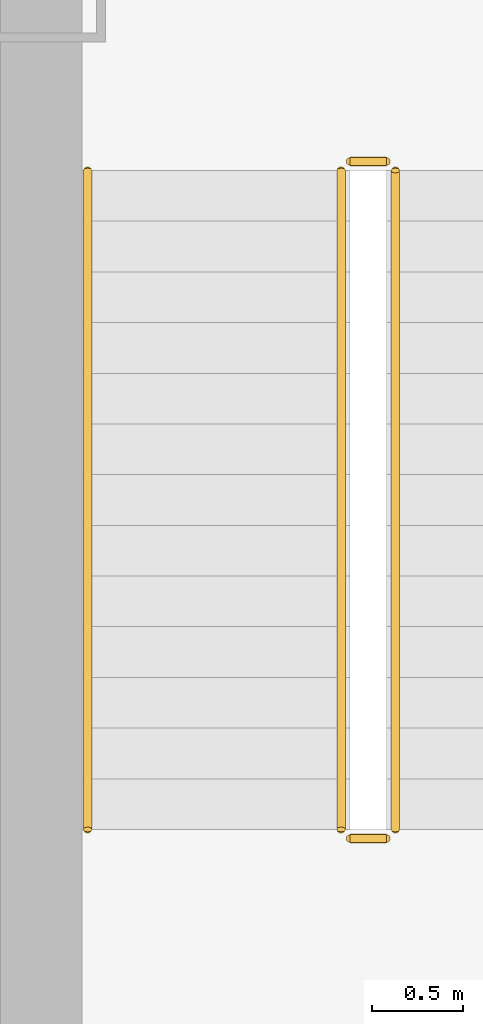
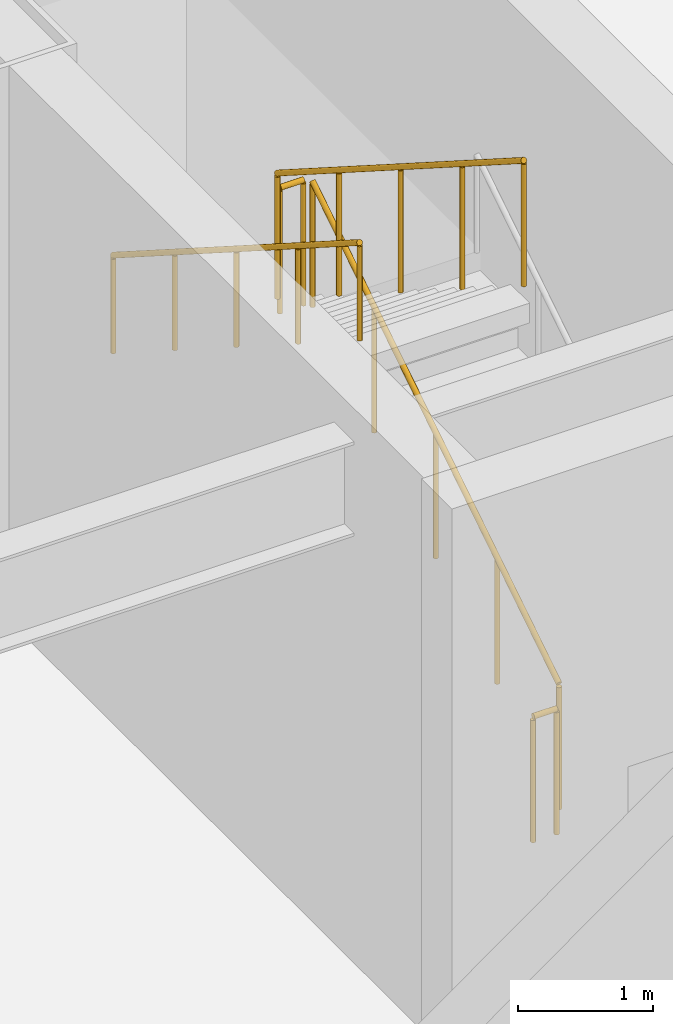
# One storey, part 11 of 14: 5 railings.
"""IFC4 building model written with IfcOpenShell, lengths in metres."""

from ifc_helpers import new_model, si_unit, derived_unit, direction, frame, origin, origin_2d, place, context, subcontext, project, spatial, circle, extrude, material, type_object, element, save


model = new_model("IFC4")

# Units and contexts
model_context = context("Model", 3, precision=1e-05, world=origin(), true_north=direction((0.0, 1.0)))
body_context = subcontext(model_context, "Body", "Model", "MODEL_VIEW")
ifc_project = project(units=[si_unit("LENGTHUNIT", "METRE"), si_unit("AREAUNIT", "SQUARE_METRE"), si_unit("VOLUMEUNIT", "CUBIC_METRE"), si_unit("PLANEANGLEUNIT", "RADIAN"), si_unit("MASSUNIT", "GRAM", prefix="KILO"), derived_unit("THERMALTRANSMITTANCEUNIT", [(si_unit("POWERUNIT", "WATT"), 1), (si_unit("LENGTHUNIT", "METRE"), -2), (si_unit("THERMODYNAMICTEMPERATUREUNIT", "KELVIN"), -1)])], contexts=[model_context])

# Site, building, storey
site_placement = place(None, origin())
site = spatial("IfcSite", under=ifc_project, at=site_placement, CompositionType="ELEMENT")
building_placement = place(site_placement, origin())
building = spatial("IfcBuilding", under=site, at=building_placement, Name="Skarnbrae Concourse Arena and Tower", CompositionType="ELEMENT")
storey_placement = place(building_placement, frame((0.0, 0.0, 21.0)))
storey = spatial("IfcBuildingStorey", under=building, at=storey_placement, Name="L04", CompositionType="ELEMENT", Elevation=21.0)

# Railings
ifc_material = material(Name="Steel CSA G40.21 350W", Category="steel")
railing_type_1 = type_object("IfcRailingType", Name="RAIL-HANDRAIL-900", PredefinedType="HANDRAIL", material=ifc_material)
railing_1_placement = place(storey_placement, frame((61.449951171875, 8.239990234375, 2.678466796875)))
element("IfcRailing", 1, at=railing_1_placement, inside=storey, type_object=railing_type_1, Name="L04 ST-A1 stair handrail 2", PredefinedType="HANDRAIL", context=body_context, shape_type="SweptSolid", body=[
    extrude(circle(Radius=0.02392578125, at=origin_2d()), frame((0.0, 0.0, 0.8759765625), z_axis=(0.0, -0.843111507901, 0.53773877045), x_axis=(1.0, 0.0, 0.0)), (0.0, 0.0, 1.0), 4.317138671875),
    extrude(circle(Radius=0.02099609375, at=origin_2d()), origin(), (0.0, 0.0, 1.0), 0.851806640625),
    extrude(circle(Radius=0.02099609375, at=origin_2d()), frame((0.0, -0.909912109375, 0.580322265625)), (0.0, 0.0, 1.0), 0.851806640625),
    extrude(circle(Radius=0.02099609375, at=origin_2d()), frame((0.0, -1.81982421875, 1.16064453125)), (0.0, 0.0, 1.0), 0.851806640625),
    extrude(circle(Radius=0.02099609375, at=origin_2d()), frame((0.0, -2.72998046875, 1.7412109375)), (0.0, 0.0, 1.0), 0.851806640625),
    extrude(circle(Radius=0.02099609375, at=origin_2d()), frame((0.0, -3.639892578125, 2.321533203125)), (0.0, 0.0, 1.0), 0.851806640625),
])
railing_type_2 = type_object("IfcRailingType", Name="RAIL-STAIR-GUARD-1150", PredefinedType="GUARDRAIL", material=ifc_material)
railing_2_placement = place(storey_placement, frame((63.14990234375, 4.60009765625, 0.178466796875)))
element("IfcRailing", 2, at=railing_2_placement, inside=storey, type_object=railing_type_2, Name="L04 ST-A1 stair guard 1", PredefinedType="GUARDRAIL", context=body_context, shape_type="SweptSolid", body=[
    extrude(circle(Radius=0.02392578125, at=origin_2d()), frame((0.0, 0.0, 1.1259765625), z_axis=(0.0, 0.843111507901, 0.53773877045), x_axis=(-1.0, 0.0, 0.0)), (0.0, 0.0, 1.0), 4.317138671875),
    extrude(circle(Radius=0.02099609375, at=origin_2d()), origin(), (0.0, 0.0, 1.0), 1.101806640625),
    extrude(circle(Radius=0.02099609375, at=origin_2d()), frame((0.0, 0.909912109375, 0.580322265625)), (0.0, 0.0, 1.0), 1.101806640625),
    extrude(circle(Radius=0.02099609375, at=origin_2d()), frame((0.0, 1.81982421875, 1.16064453125)), (0.0, 0.0, 1.0), 1.101806640625),
    extrude(circle(Radius=0.02099609375, at=origin_2d()), frame((0.0, 2.72998046875, 1.7412109375)), (0.0, 0.0, 1.0), 1.101806640625),
    extrude(circle(Radius=0.02099609375, at=origin_2d()), frame((0.0, 3.639892578125, 2.321533203125)), (0.0, 0.0, 1.0), 1.101806640625),
])
railing_3_placement = place(storey_placement, frame((63.10009765625, 8.2900390625, 2.5)))
element("IfcRailing", 3, at=railing_3_placement, inside=storey, type_object=railing_type_2, Name="L04 ST-A1 stair guard 2", PredefinedType="GUARDRAIL", context=body_context, shape_type="SweptSolid", body=[
    extrude(circle(Radius=0.02392578125, at=origin_2d()), frame((0.0, 0.0, 1.1259765625), z_axis=(-1.0, 0.0, 0.0), x_axis=(0.0, -1.0, 0.0)), (0.0, 0.0, 1.0), 0.2001953125),
    extrude(circle(Radius=0.02099609375, at=origin_2d()), origin(), (0.0, 0.0, 1.0), 1.101806640625),
    extrude(circle(Radius=0.02099609375, at=origin_2d()), frame((-0.2001953125, 0.0, 0.0)), (0.0, 0.0, 1.0), 1.101806640625),
])
railing_4_placement = place(storey_placement, frame((62.85009765625, 8.239990234375, 2.678466796875)))
element("IfcRailing", 4, at=railing_4_placement, inside=storey, type_object=railing_type_2, Name="L04 ST-A1 stair guard 3", PredefinedType="GUARDRAIL", context=body_context, shape_type="SweptSolid", body=[
    extrude(circle(Radius=0.02392578125, at=origin_2d()), frame((0.0, 0.0, 1.1259765625), z_axis=(0.0, -0.843111507901, 0.53773877045), x_axis=(1.0, 0.0, 0.0)), (0.0, 0.0, 1.0), 4.317138671875),
    extrude(circle(Radius=0.02099609375, at=origin_2d()), origin(), (0.0, 0.0, 1.0), 1.101806640625),
    extrude(circle(Radius=0.02099609375, at=origin_2d()), frame((0.0, -0.909912109375, 0.580322265625)), (0.0, 0.0, 1.0), 1.101806640625),
    extrude(circle(Radius=0.02099609375, at=origin_2d()), frame((0.0, -1.81982421875, 1.16064453125)), (0.0, 0.0, 1.0), 1.101806640625),
    extrude(circle(Radius=0.02099609375, at=origin_2d()), frame((0.0, -2.72998046875, 1.7412109375)), (0.0, 0.0, 1.0), 1.101806640625),
    extrude(circle(Radius=0.02099609375, at=origin_2d()), frame((0.0, -3.639892578125, 2.321533203125)), (0.0, 0.0, 1.0), 1.101806640625),
])
railing_5_placement = place(storey_placement, frame((63.10009765625, 4.550048828125, 0.0)))
element("IfcRailing", 5, at=railing_5_placement, inside=storey, type_object=railing_type_2, Name="L04 ST-A1 stair guard 4", PredefinedType="GUARDRAIL", context=body_context, shape_type="SweptSolid", body=[
    extrude(circle(Radius=0.02392578125, at=origin_2d()), frame((0.0, 0.0, 1.1259765625), z_axis=(-1.0, 0.0, 0.0), x_axis=(0.0, -1.0, 0.0)), (0.0, 0.0, 1.0), 0.2001953125),
    extrude(circle(Radius=0.02099609375, at=origin_2d()), origin(), (0.0, 0.0, 1.0), 1.101806640625),
    extrude(circle(Radius=0.02099609375, at=origin_2d()), frame((-0.2001953125, 0.0, 0.0)), (0.0, 0.0, 1.0), 1.101806640625),
])

save(model, "model.ifc")
